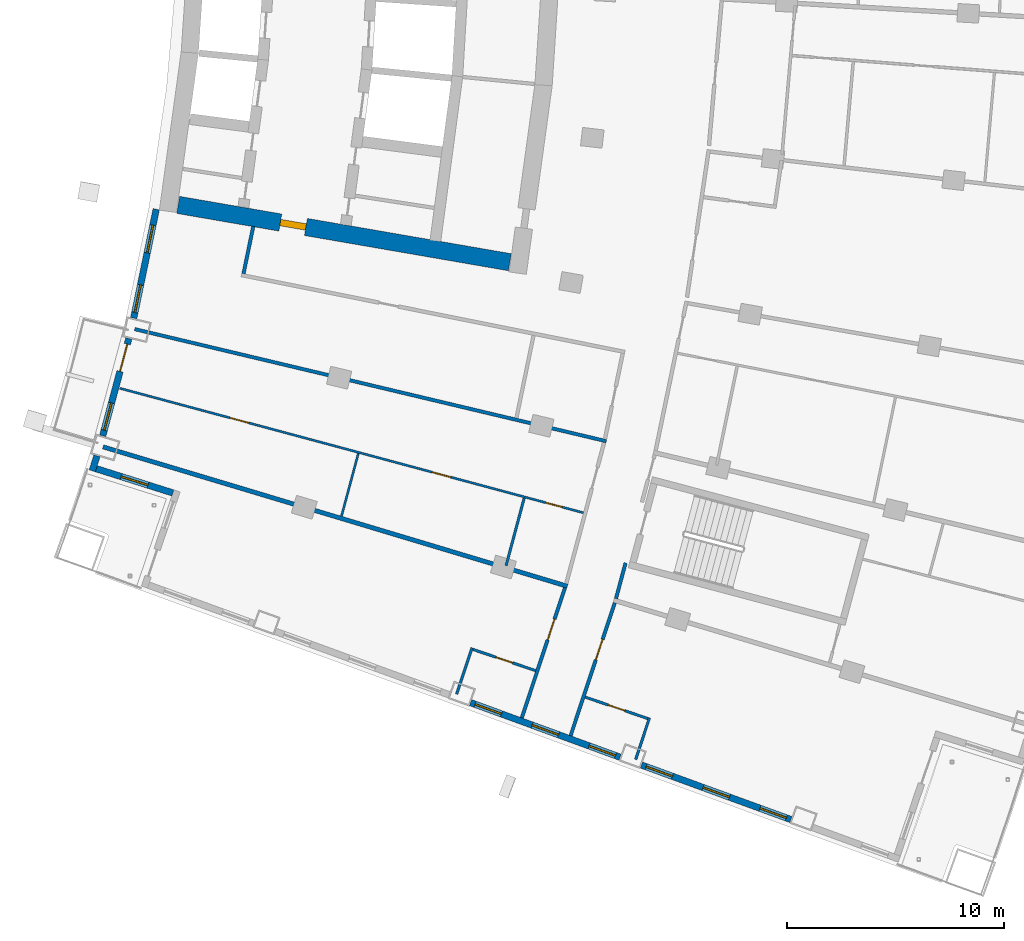
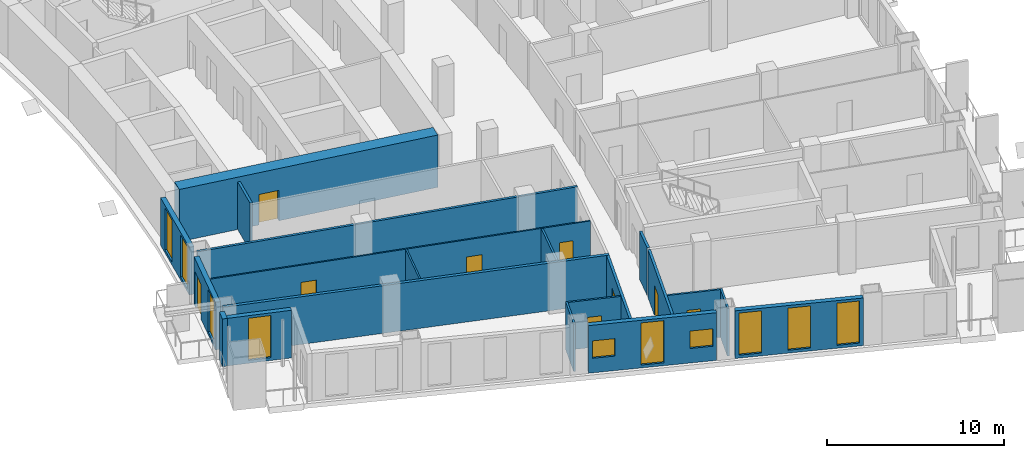
# One storey, part 13 of 25: 20 walls, 10 windows, 9 doors, 19 openings.
"""IFC4 building model written with IfcOpenShell, lengths in metres."""

from ifc_helpers import new_model, si_unit, direction, frame, frame_2d, origin, place, context, subcontext, project, spatial, rectangle, extrude, material, layer, layer_set, type_object, element, fill, save


model = new_model("IFC4")

# Units and contexts
model_context = context("Model", 3, precision=1e-05, world=origin(), true_north=direction((0.0, 1.0)))
body_context = subcontext(model_context, "Body", "Model", "MODEL_VIEW")
ifc_project = project(units=[si_unit("LENGTHUNIT", "METRE"), si_unit("AREAUNIT", "SQUARE_METRE"), si_unit("VOLUMEUNIT", "CUBIC_METRE"), si_unit("PLANEANGLEUNIT", "RADIAN"), si_unit("MASSUNIT", "GRAM", prefix="KILO")], contexts=[model_context])

# Site, building, storey
site_placement = place(None, origin())
site = spatial("IfcSite", under=ifc_project, at=site_placement, CompositionType="ELEMENT")
building_placement = place(site_placement, origin())
building = spatial("IfcBuilding", under=site, at=building_placement, Name="Alderwake Tower", CompositionType="ELEMENT")
storey_placement = place(building_placement, frame((0.0, 0.0, 111.199951171875)))
storey = spatial("IfcBuildingStorey", under=building, at=storey_placement, Name="L27", CompositionType="ELEMENT", Elevation=111.199951171875)

# Wall, opening, door
ifc_material_1 = material(Name="Concrete C70/85", Category="concrete")
ifc_layer_1 = layer(ifc_material_1, 0.800048828125)
ifc_layer_set_1 = layer_set([ifc_layer_1], Name="Core wall outer 800 C70-85")
wall_type_1 = type_object("IfcWallType", Name="Core wall outer 800 C70-85", PredefinedType="SHEAR", material=ifc_layer_set_1)
wall_1_placement = place(storey_placement, frame((31.20458984375, 41.776611328125, 0.0), z_axis=(0.0, 0.0, 1.0), x_axis=(-0.985386537175, 0.170333121719, 0.0)))
wall_1 = element("IfcWall", 1, at=wall_1_placement, inside=storey, type_object=wall_type_1, Name="Core wall CW.071", PredefinedType="SHEAR", context=body_context, shape_type="SweptSolid", body=[
    extrude(rectangle(XDim=15.537109375, YDim=0.800048828125, at=frame_2d((7.7685546875, 0.0))), origin(), (0.0, 0.0, 1.0), 3.60009765625),
])
opening_1_placement = place(wall_1_placement, frame((9.5537109375, 0.0, 0.0)))
opening_1 = element("IfcOpeningElement", 2, at=opening_1_placement, cuts=wall_1, Name="Opening C003", PredefinedType="OPENING", context=body_context, shape_type="SweptSolid", body=[
    extrude(rectangle(XDim=1.199951171875, YDim=2.10009765625, at=frame_2d((0.60009765625, 1.050048828125))), frame((0.0, 0.409912109375, 0.0), z_axis=(0.0, -1.0, 0.0), x_axis=(1.0, 0.0, 0.0)), (0.0, 0.0, 1.0), 0.820068359375),
])
ifc_material_2 = material(Name="Steel-framed fire door leaf", Category="steel")
door_type_1 = type_object("IfcDoorType", Name="Core lobby exit door 1200 fire-rated", OperationType="SINGLE_SWING_LEFT", PredefinedType="DOOR", material=ifc_material_2)
door_1_placement = place(opening_1_placement, origin())
door_1 = element("IfcDoor", 3, at=door_1_placement, inside=storey, type_object=door_type_1, Name="Lobby door", OperationType="SINGLE_SWING_LEFT", OverallHeight=2.10009765625, OverallWidth=1.199951171875, PredefinedType="DOOR", context=body_context, shape_type="SweptSolid", body=[
    extrude(rectangle(XDim=1.199951171875, YDim=2.10009765625, at=frame_2d((0.60009765625, 1.050048828125))), frame((0.0, 0.14990234375, 0.0), z_axis=(0.0, -1.0, 0.0), x_axis=(1.0, 0.0, 0.0)), (0.0, 0.0, 1.0), 0.300048828125),
])
fill(opening_1, door_1)

# Walls
ifc_material_3 = material(Name="Gypsum board on metal studs, rated")
ifc_layer_2 = layer(ifc_material_3, 0.159912109375)
ifc_layer_set_2 = layer_set([ifc_layer_2], Name="Corridor wall 160")
wall_type_2 = type_object("IfcWallType", Name="Corridor wall 160", PredefinedType="PARTITIONING", material=ifc_layer_set_2)
wall_2_placement = place(storey_placement, frame((13.884033203125, 38.68798828125, 0.0), z_axis=(0.0, 0.0, 1.0), x_axis=(0.972893462073, -0.231253781493, 0.0)))
element("IfcWall", 4, at=wall_2_placement, inside=storey, type_object=wall_type_2, Name="WL/L27/W16", PredefinedType="PARTITIONING", context=body_context, shape_type="SweptSolid", body=[
    extrude(rectangle(XDim=22.38037109375, YDim=0.159912109375, at=frame_2d((11.190185546875, 0.0))), origin(), (0.0, 0.0, 1.0), 3.280029296875),
])
wall_3_placement = place(storey_placement, frame((19.35888671875, 43.430908203125, 0.0), z_axis=(0.0, 0.0, 1.0), x_axis=(-0.202554916658, -0.979270905183, 0.0)))
element("IfcWall", 5, at=wall_3_placement, inside=storey, type_object=wall_type_2, Name="WL/L27/W20", PredefinedType="PARTITIONING", context=body_context, shape_type="SweptSolid", body=[
    extrude(rectangle(XDim=2.229736328125, YDim=0.159912109375, at=frame_2d((1.11474609375, 0.0))), origin(), (0.0, 0.0, 1.0), 3.280029296875),
])

# Wall, opening, door
wall_4_placement = place(storey_placement, frame((31.7548828125, 20.739013671875, 0.0), z_axis=(0.0, 0.0, 1.0), x_axis=(0.31554473692, 0.948910701279, 0.0)))
wall_4 = element("IfcWall", 6, at=wall_4_placement, inside=storey, type_object=wall_type_2, Name="WL/L27/W22", PredefinedType="PARTITIONING", context=body_context, shape_type="SweptSolid", body=[
    extrude(rectangle(XDim=6.327392578125, YDim=0.159912109375, at=frame_2d((3.16357421875, 0.0))), origin(), (0.0, 0.0, 1.0), 3.280029296875),
])
opening_2_placement = place(wall_4_placement, frame((3.799072265625, 0.0, 0.0)))
opening_2 = element("IfcOpeningElement", 7, at=opening_2_placement, cuts=wall_4, Name="Opening R07-U10.1", PredefinedType="OPENING", context=body_context, shape_type="SweptSolid", body=[
    extrude(rectangle(XDim=1.0, YDim=2.10009765625, at=frame_2d((0.5, 1.050048828125))), frame((0.0, 0.08984375, 0.0), z_axis=(0.0, -1.0, 0.0), x_axis=(1.0, 0.0, 0.0)), (0.0, 0.0, 1.0), 0.179931640625),
])
ifc_material_4 = material(Name="Solid timber leaf in steel frame", Category="steel")
door_type_2 = type_object("IfcDoorType", Name="Flat entrance door 1000 fire-rated", OperationType="SINGLE_SWING_LEFT", PredefinedType="DOOR", material=ifc_material_4)
door_2_placement = place(opening_2_placement, origin())
door_2 = element("IfcDoor", 8, at=door_2_placement, inside=storey, type_object=door_type_2, Name="DR/L27/U10.1", OperationType="SINGLE_SWING_LEFT", OverallHeight=2.10009765625, OverallWidth=1.0, PredefinedType="DOOR", context=body_context, shape_type="SweptSolid", body=[
    extrude(rectangle(XDim=1.0, YDim=2.10009765625, at=frame_2d((0.5, 1.050048828125))), frame((0.0, 0.02490234375, 0.0), z_axis=(0.0, -1.0, 0.0), x_axis=(1.0, 0.0, 0.0)), (0.0, 0.0, 1.0), 0.050048828125),
])
fill(opening_2, door_2)

wall_5_placement = place(storey_placement, frame((36.049560546875, 26.052978515625, 0.0), z_axis=(0.0, 0.0, 1.0), x_axis=(-0.315151894598, -0.949041244273, 0.0)))
wall_5 = element("IfcWall", 9, at=wall_5_placement, inside=storey, type_object=wall_type_2, Name="WL/L27/W25", PredefinedType="PARTITIONING", context=body_context, shape_type="SweptSolid", body=[
    extrude(rectangle(XDim=6.468505859375, YDim=0.159912109375, at=frame_2d((3.234375, 0.0))), origin(), (0.0, 0.0, 1.0), 3.280029296875),
])
opening_3_placement = place(wall_5_placement, frame((1.7822265625, 0.0, 0.0)))
opening_3 = element("IfcOpeningElement", 10, at=opening_3_placement, cuts=wall_5, Name="Opening R07-U03.1", PredefinedType="OPENING", context=body_context, shape_type="SweptSolid", body=[
    extrude(rectangle(XDim=1.0, YDim=2.10009765625, at=frame_2d((0.5, 1.050048828125))), frame((0.0, 0.08984375, 0.0), z_axis=(0.0, -1.0, 0.0), x_axis=(1.0, 0.0, 0.0)), (0.0, 0.0, 1.0), 0.179931640625),
])
door_3_placement = place(opening_3_placement, origin())
door_3 = element("IfcDoor", 11, at=door_3_placement, inside=storey, type_object=door_type_2, Name="DR/L27/U03.1", OperationType="SINGLE_SWING_LEFT", OverallHeight=2.10009765625, OverallWidth=1.0, PredefinedType="DOOR", context=body_context, shape_type="SweptSolid", body=[
    extrude(rectangle(XDim=1.0, YDim=2.10009765625, at=frame_2d((0.5, 1.050048828125))), frame((0.0, 0.02490234375, 0.0), z_axis=(0.0, -1.0, 0.0), x_axis=(1.0, 0.0, 0.0)), (0.0, 0.0, 1.0), 0.050048828125),
])
fill(opening_3, door_3)

# Walls
wall_6_placement = place(storey_placement, frame((36.10693359375, 26.24462890625, 0.0), z_axis=(0.0, 0.0, 1.0), x_axis=(0.259346865847, 0.965784242559, 0.0)))
element("IfcWall", 12, at=wall_6_placement, inside=storey, type_object=wall_type_2, Name="WL/L27/W27", PredefinedType="PARTITIONING", context=body_context, shape_type="SweptSolid", body=[
    extrude(rectangle(XDim=1.704833984375, YDim=0.159912109375, at=frame_2d((0.8525390625, 0.0))), origin(), (0.0, 0.0, 1.0), 3.280029296875),
])
ifc_material_5 = material(Name="Precast concrete C50/60 spandrel panel", Category="concrete")
ifc_layer_3 = layer(ifc_material_5, 0.300048828125)
ifc_layer_set_3 = layer_set([ifc_layer_3], Name="External wall EW1 Precast concrete C50/60 spandrel")
wall_type_3 = type_object("IfcWallType", Name="External wall EW1 Precast concrete C50/60 spandrel", PredefinedType="SOLIDWALL", material=ifc_layer_set_3)
wall_7_placement = place(storey_placement, frame((12.14013671875, 32.83837890625, 0.0), z_axis=(0.0, 0.0, 1.0), x_axis=(-0.294604532955, -0.955619259518, 0.0)))
element("IfcWall", 13, at=wall_7_placement, inside=storey, type_object=wall_type_3, Name="External wall 1", PredefinedType="SOLIDWALL", context=body_context, shape_type="SweptSolid", body=[
    extrude(rectangle(XDim=0.7275390625, YDim=0.300048828125, at=frame_2d((0.36376953125, 0.0))), origin(), (0.0, 0.0, 1.0), 3.280029296875),
])

# Wall, openings, windows
wall_8_placement = place(storey_placement, frame((14.878173828125, 44.223388671875, 0.0), z_axis=(0.0, 0.0, 1.0), x_axis=(-0.202723539143, -0.979236011734, 0.0)))
wall_8 = element("IfcWall", 14, at=wall_8_placement, inside=storey, type_object=wall_type_3, Name="External wall 35", PredefinedType="SOLIDWALL", context=body_context, shape_type="SweptSolid", body=[
    extrude(rectangle(XDim=5.134033203125, YDim=0.300048828125, at=frame_2d((2.56689453125, 0.0))), origin(), (0.0, 0.0, 1.0), 3.280029296875),
])
opening_4_placement = place(wall_8_placement, frame((0.75634765625, 0.0, 0.199951171875)))
opening_4 = element("IfcOpeningElement", 15, at=opening_4_placement, cuts=wall_8, Name="Opening W1", PredefinedType="OPENING", context=body_context, shape_type="SweptSolid", body=[
    extrude(rectangle(XDim=1.300048828125, YDim=2.89990234375, at=frame_2d((0.64990234375, 1.449951171875))), frame((0.0, 0.159912109375, 0.0), z_axis=(0.0, -1.0, 0.0), x_axis=(1.0, 0.0, 0.0)), (0.0, 0.0, 1.0), 0.320068359375),
])
opening_5_placement = place(wall_8_placement, frame((3.569091796875, 0.0, 0.199951171875)))
opening_5 = element("IfcOpeningElement", 16, at=opening_5_placement, cuts=wall_8, Name="Opening W1", PredefinedType="OPENING", context=body_context, shape_type="SweptSolid", body=[
    extrude(rectangle(XDim=1.300048828125, YDim=2.89990234375, at=frame_2d((0.64990234375, 1.449951171875))), frame((0.0, 0.159912109375, 0.0), z_axis=(0.0, -1.0, 0.0), x_axis=(1.0, 0.0, 0.0)), (0.0, 0.0, 1.0), 0.320068359375),
])
ifc_material_6 = material(Name="Bronze tinted glass in aluminium frame", Category="aluminium")
window_type_1 = type_object("IfcWindowType", Name="Window W1 tall fixed and vent", PartitioningType="DOUBLE_PANEL_VERTICAL", PredefinedType="WINDOW", material=ifc_material_6)
window_1_placement = place(opening_4_placement, origin())
window_1 = element("IfcWindow", 17, at=window_1_placement, inside=storey, type_object=window_type_1, Name="Window W1 tall fixed and vent", OverallHeight=2.89990234375, OverallWidth=1.300048828125, PartitioningType="DOUBLE_PANEL_VERTICAL", PredefinedType="WINDOW", context=body_context, shape_type="SweptSolid", body=[
    extrude(rectangle(XDim=1.300048828125, YDim=2.89990234375, at=frame_2d((0.64990234375, 1.449951171875))), frame((0.0, 0.030029296875, 0.0), z_axis=(0.0, -1.0, 0.0), x_axis=(1.0, 0.0, 0.0)), (0.0, 0.0, 1.0), 0.06005859375),
])
fill(opening_4, window_1)
window_2_placement = place(opening_5_placement, origin())
window_2 = element("IfcWindow", 18, at=window_2_placement, inside=storey, type_object=window_type_1, Name="Window W1 tall fixed and vent", OverallHeight=2.89990234375, OverallWidth=1.300048828125, PartitioningType="DOUBLE_PANEL_VERTICAL", PredefinedType="WINDOW", context=body_context, shape_type="SweptSolid", body=[
    extrude(rectangle(XDim=1.300048828125, YDim=2.89990234375, at=frame_2d((0.64990234375, 1.449951171875))), frame((0.0, 0.030029296875, 0.0), z_axis=(0.0, -1.0, 0.0), x_axis=(1.0, 0.0, 0.0)), (0.0, 0.0, 1.0), 0.06005859375),
])
fill(opening_5, window_2)

# Wall, openings, door, window
wall_9_placement = place(storey_placement, frame((13.61328125, 38.254150390625, 0.0), z_axis=(0.0, 0.0, 1.0), x_axis=(-0.259468933642, -0.965751454814, 0.0)))
wall_9 = element("IfcWall", 19, at=wall_9_placement, inside=storey, type_object=wall_type_3, Name="External wall 36", PredefinedType="SOLIDWALL", context=body_context, shape_type="SweptSolid", body=[
    extrude(rectangle(XDim=4.65087890625, YDim=0.300048828125, at=frame_2d((2.325439453125, 0.0))), origin(), (0.0, 0.0, 1.0), 3.280029296875),
])
opening_6_placement = place(wall_9_placement, frame((0.26708984375, 0.0, 0.0)))
opening_6 = element("IfcOpeningElement", 20, at=opening_6_placement, cuts=wall_9, Name="Opening D15", PredefinedType="OPENING", context=body_context, shape_type="SweptSolid", body=[
    extrude(rectangle(XDim=1.300048828125, YDim=2.39990234375, at=frame_2d((0.64990234375, 1.199951171875))), frame((0.0, 0.159912109375, 0.0), z_axis=(0.0, -1.0, 0.0), x_axis=(1.0, 0.0, 0.0)), (0.0, 0.0, 1.0), 0.320068359375),
])
opening_7_placement = place(wall_9_placement, frame((3.083984375, 0.0, 0.199951171875)))
opening_7 = element("IfcOpeningElement", 21, at=opening_7_placement, cuts=wall_9, Name="Opening W1", PredefinedType="OPENING", context=body_context, shape_type="SweptSolid", body=[
    extrude(rectangle(XDim=1.300048828125, YDim=2.89990234375, at=frame_2d((0.64990234375, 1.449951171875))), frame((0.0, 0.159912109375, 0.0), z_axis=(0.0, -1.0, 0.0), x_axis=(1.0, 0.0, 0.0)), (0.0, 0.0, 1.0), 0.320068359375),
])
ifc_material_7 = material(Name="Bronze tinted glass in aluminium frame", Category="aluminium")
door_type_3 = type_object("IfcDoorType", Name="Balcony door BD sliding", OperationType="SLIDING_TO_LEFT", PredefinedType="DOOR", material=ifc_material_7)
door_4_placement = place(opening_6_placement, origin())
door_4 = element("IfcDoor", 22, at=door_4_placement, inside=storey, type_object=door_type_3, Name="Door D15", OperationType="SLIDING_TO_LEFT", OverallHeight=2.39990234375, OverallWidth=1.300048828125, PredefinedType="DOOR", context=body_context, shape_type="SweptSolid", body=[
    extrude(rectangle(XDim=1.300048828125, YDim=2.39990234375, at=frame_2d((0.64990234375, 1.199951171875))), frame((0.0, 0.02490234375, 0.0), z_axis=(0.0, -1.0, 0.0), x_axis=(1.0, 0.0, 0.0)), (0.0, 0.0, 1.0), 0.050048828125),
])
fill(opening_6, door_4)
window_3_placement = place(opening_7_placement, origin())
window_3 = element("IfcWindow", 23, at=window_3_placement, inside=storey, type_object=window_type_1, Name="Window W1 tall fixed and vent", OverallHeight=2.89990234375, OverallWidth=1.300048828125, PartitioningType="DOUBLE_PANEL_VERTICAL", PredefinedType="WINDOW", context=body_context, shape_type="SweptSolid", body=[
    extrude(rectangle(XDim=1.300048828125, YDim=2.89990234375, at=frame_2d((0.64990234375, 1.449951171875))), frame((0.0, 0.030029296875, 0.0), z_axis=(0.0, -1.0, 0.0), x_axis=(1.0, 0.0, 0.0)), (0.0, 0.0, 1.0), 0.06005859375),
])
fill(opening_7, window_3)

# Wall, opening, window
ifc_material_8 = material(Name="Bronze metal cladding on lightweight framing")
ifc_layer_4 = layer(ifc_material_8, 0.300048828125)
ifc_layer_set_4 = layer_set([ifc_layer_4], Name="External wall EW2 bronze metal cladding")
wall_type_4 = type_object("IfcWallType", Name="External wall EW2 bronze metal cladding", PredefinedType="SOLIDWALL", material=ifc_layer_set_4)
wall_10_placement = place(storey_placement, frame((12.113037109375, 32.2412109375, 0.0), z_axis=(0.0, 0.0, 1.0), x_axis=(0.953458128271, -0.301525451054, 0.0)))
wall_10 = element("IfcWall", 24, at=wall_10_placement, inside=storey, type_object=wall_type_4, Name="External wall 2", PredefinedType="SOLIDWALL", context=body_context, shape_type="SweptSolid", body=[
    extrude(rectangle(XDim=3.705810546875, YDim=0.300048828125, at=frame_2d((1.85302734375, 0.0))), origin(), (0.0, 0.0, 1.0), 3.280029296875),
])
opening_8_placement = place(wall_10_placement, frame((1.202880859375, 0.0, 0.199951171875)))
opening_8 = element("IfcOpeningElement", 25, at=opening_8_placement, cuts=wall_10, Name="Opening W1", PredefinedType="OPENING", context=body_context, shape_type="SweptSolid", body=[
    extrude(rectangle(XDim=1.300048828125, YDim=2.89990234375, at=frame_2d((0.64990234375, 1.449951171875))), frame((0.0, 0.159912109375, 0.0), z_axis=(0.0, -1.0, 0.0), x_axis=(1.0, 0.0, 0.0)), (0.0, 0.0, 1.0), 0.320068359375),
])
window_4_placement = place(opening_8_placement, origin())
window_4 = element("IfcWindow", 26, at=window_4_placement, inside=storey, type_object=window_type_1, Name="Window W1 tall fixed and vent", OverallHeight=2.89990234375, OverallWidth=1.300048828125, PartitioningType="DOUBLE_PANEL_VERTICAL", PredefinedType="WINDOW", context=body_context, shape_type="SweptSolid", body=[
    extrude(rectangle(XDim=1.300048828125, YDim=2.89990234375, at=frame_2d((0.64990234375, 1.449951171875))), frame((0.0, 0.030029296875, 0.0), z_axis=(0.0, -1.0, 0.0), x_axis=(1.0, 0.0, 0.0)), (0.0, 0.0, 1.0), 0.06005859375),
])
fill(opening_8, window_4)

# Wall, openings, windows
wall_11_placement = place(storey_placement, frame((29.39306640625, 21.44091796875, 0.0), z_axis=(0.0, 0.0, 1.0), x_axis=(0.939378390818, -0.342882252187, 0.0)))
wall_11 = element("IfcWall", 27, at=wall_11_placement, inside=storey, type_object=wall_type_4, Name="External wall 6", PredefinedType="SOLIDWALL", context=body_context, shape_type="SweptSolid", body=[
    extrude(rectangle(XDim=7.345947265625, YDim=0.300048828125, at=frame_2d((3.6728515625, 0.0))), origin(), (0.0, 0.0, 1.0), 3.280029296875),
])
opening_9_placement = place(wall_11_placement, frame((0.222900390625, 0.0, 1.0)))
opening_9 = element("IfcOpeningElement", 28, at=opening_9_placement, cuts=wall_11, Name="Opening W2", PredefinedType="OPENING", context=body_context, shape_type="SweptSolid", body=[
    extrude(rectangle(XDim=1.300048828125, YDim=1.199951171875, at=frame_2d((0.64990234375, 0.60009765625))), frame((0.0, 0.159912109375, 0.0), z_axis=(0.0, -1.0, 0.0), x_axis=(1.0, 0.0, 0.0)), (0.0, 0.0, 1.0), 0.320068359375),
])
opening_10_placement = place(wall_11_placement, frame((3.02294921875, 0.0, 0.199951171875)))
opening_10 = element("IfcOpeningElement", 29, at=opening_10_placement, cuts=wall_11, Name="Opening W1", PredefinedType="OPENING", context=body_context, shape_type="SweptSolid", body=[
    extrude(rectangle(XDim=1.300048828125, YDim=2.89990234375, at=frame_2d((0.64990234375, 1.449951171875))), frame((0.0, 0.159912109375, 0.0), z_axis=(0.0, -1.0, 0.0), x_axis=(1.0, 0.0, 0.0)), (0.0, 0.0, 1.0), 0.320068359375),
])
opening_11_placement = place(wall_11_placement, frame((5.822998046875, 0.0, 1.0)))
opening_11 = element("IfcOpeningElement", 30, at=opening_11_placement, cuts=wall_11, Name="Opening W2", PredefinedType="OPENING", context=body_context, shape_type="SweptSolid", body=[
    extrude(rectangle(XDim=1.300048828125, YDim=1.199951171875, at=frame_2d((0.64990234375, 0.60009765625))), frame((0.0, 0.159912109375, 0.0), z_axis=(0.0, -1.0, 0.0), x_axis=(1.0, 0.0, 0.0)), (0.0, 0.0, 1.0), 0.320068359375),
])
window_5_placement = place(opening_10_placement, origin())
window_5 = element("IfcWindow", 31, at=window_5_placement, inside=storey, type_object=window_type_1, Name="Window W1 tall fixed and vent", OverallHeight=2.89990234375, OverallWidth=1.300048828125, PartitioningType="DOUBLE_PANEL_VERTICAL", PredefinedType="WINDOW", context=body_context, shape_type="SweptSolid", body=[
    extrude(rectangle(XDim=1.300048828125, YDim=2.89990234375, at=frame_2d((0.64990234375, 1.449951171875))), frame((0.0, 0.030029296875, 0.0), z_axis=(0.0, -1.0, 0.0), x_axis=(1.0, 0.0, 0.0)), (0.0, 0.0, 1.0), 0.06005859375),
])
fill(opening_10, window_5)
ifc_material_9 = material(Name="Bronze tinted glass in aluminium frame", Category="aluminium")
window_type_2 = type_object("IfcWindowType", Name="Window W2 kitchen and bath", PartitioningType="SINGLE_PANEL", PredefinedType="WINDOW", material=ifc_material_9)
window_6_placement = place(opening_9_placement, origin())
window_6 = element("IfcWindow", 32, at=window_6_placement, inside=storey, type_object=window_type_2, Name="Window W2 kitchen and bath", OverallHeight=1.199951171875, OverallWidth=1.300048828125, PartitioningType="SINGLE_PANEL", PredefinedType="WINDOW", context=body_context, shape_type="SweptSolid", body=[
    extrude(rectangle(XDim=1.300048828125, YDim=1.199951171875, at=frame_2d((0.64990234375, 0.60009765625))), frame((0.0, 0.030029296875, 0.0), z_axis=(0.0, -1.0, 0.0), x_axis=(1.0, 0.0, 0.0)), (0.0, 0.0, 1.0), 0.06005859375),
])
fill(opening_9, window_6)
window_7_placement = place(opening_11_placement, origin())
window_7 = element("IfcWindow", 33, at=window_7_placement, inside=storey, type_object=window_type_2, Name="Window W2 kitchen and bath", OverallHeight=1.199951171875, OverallWidth=1.300048828125, PartitioningType="SINGLE_PANEL", PredefinedType="WINDOW", context=body_context, shape_type="SweptSolid", body=[
    extrude(rectangle(XDim=1.300048828125, YDim=1.199951171875, at=frame_2d((0.64990234375, 0.60009765625))), frame((0.0, 0.030029296875, 0.0), z_axis=(0.0, -1.0, 0.0), x_axis=(1.0, 0.0, 0.0)), (0.0, 0.0, 1.0), 0.06005859375),
])
fill(opening_11, window_7)

wall_12_placement = place(storey_placement, frame((37.283935546875, 18.560546875, 0.0), z_axis=(0.0, 0.0, 1.0), x_axis=(0.939378390818, -0.342882252187, 0.0)))
wall_12 = element("IfcWall", 34, at=wall_12_placement, inside=storey, type_object=wall_type_4, Name="External wall 7", PredefinedType="SOLIDWALL", context=body_context, shape_type="SweptSolid", body=[
    extrude(rectangle(XDim=7.345947265625, YDim=0.300048828125, at=frame_2d((3.6728515625, 0.0))), origin(), (0.0, 0.0, 1.0), 3.280029296875),
])
opening_12_placement = place(wall_12_placement, frame((0.222900390625, 0.0, 0.199951171875)))
opening_12 = element("IfcOpeningElement", 35, at=opening_12_placement, cuts=wall_12, Name="Opening W1", PredefinedType="OPENING", context=body_context, shape_type="SweptSolid", body=[
    extrude(rectangle(XDim=1.300048828125, YDim=2.89990234375, at=frame_2d((0.64990234375, 1.449951171875))), frame((0.0, 0.159912109375, 0.0), z_axis=(0.0, -1.0, 0.0), x_axis=(1.0, 0.0, 0.0)), (0.0, 0.0, 1.0), 0.320068359375),
])
opening_13_placement = place(wall_12_placement, frame((3.02294921875, 0.0, 0.199951171875)))
opening_13 = element("IfcOpeningElement", 36, at=opening_13_placement, cuts=wall_12, Name="Opening W1", PredefinedType="OPENING", context=body_context, shape_type="SweptSolid", body=[
    extrude(rectangle(XDim=1.300048828125, YDim=2.89990234375, at=frame_2d((0.64990234375, 1.449951171875))), frame((0.0, 0.159912109375, 0.0), z_axis=(0.0, -1.0, 0.0), x_axis=(1.0, 0.0, 0.0)), (0.0, 0.0, 1.0), 0.320068359375),
])
opening_14_placement = place(wall_12_placement, frame((5.822998046875, 0.0, 0.199951171875)))
opening_14 = element("IfcOpeningElement", 37, at=opening_14_placement, cuts=wall_12, Name="Opening W1", PredefinedType="OPENING", context=body_context, shape_type="SweptSolid", body=[
    extrude(rectangle(XDim=1.300048828125, YDim=2.89990234375, at=frame_2d((0.64990234375, 1.449951171875))), frame((0.0, 0.159912109375, 0.0), z_axis=(0.0, -1.0, 0.0), x_axis=(1.0, 0.0, 0.0)), (0.0, 0.0, 1.0), 0.320068359375),
])
window_8_placement = place(opening_12_placement, origin())
window_8 = element("IfcWindow", 38, at=window_8_placement, inside=storey, type_object=window_type_1, Name="Window W1 tall fixed and vent", OverallHeight=2.89990234375, OverallWidth=1.300048828125, PartitioningType="DOUBLE_PANEL_VERTICAL", PredefinedType="WINDOW", context=body_context, shape_type="SweptSolid", body=[
    extrude(rectangle(XDim=1.300048828125, YDim=2.89990234375, at=frame_2d((0.64990234375, 1.449951171875))), frame((0.0, 0.030029296875, 0.0), z_axis=(0.0, -1.0, 0.0), x_axis=(1.0, 0.0, 0.0)), (0.0, 0.0, 1.0), 0.06005859375),
])
fill(opening_12, window_8)
window_9_placement = place(opening_13_placement, origin())
window_9 = element("IfcWindow", 39, at=window_9_placement, inside=storey, type_object=window_type_1, Name="Window W1 tall fixed and vent", OverallHeight=2.89990234375, OverallWidth=1.300048828125, PartitioningType="DOUBLE_PANEL_VERTICAL", PredefinedType="WINDOW", context=body_context, shape_type="SweptSolid", body=[
    extrude(rectangle(XDim=1.300048828125, YDim=2.89990234375, at=frame_2d((0.64990234375, 1.449951171875))), frame((0.0, 0.030029296875, 0.0), z_axis=(0.0, -1.0, 0.0), x_axis=(1.0, 0.0, 0.0)), (0.0, 0.0, 1.0), 0.06005859375),
])
fill(opening_13, window_9)
window_10_placement = place(opening_14_placement, origin())
window_10 = element("IfcWindow", 40, at=window_10_placement, inside=storey, type_object=window_type_1, Name="Window W1 tall fixed and vent", OverallHeight=2.89990234375, OverallWidth=1.300048828125, PartitioningType="DOUBLE_PANEL_VERTICAL", PredefinedType="WINDOW", context=body_context, shape_type="SweptSolid", body=[
    extrude(rectangle(XDim=1.300048828125, YDim=2.89990234375, at=frame_2d((0.64990234375, 1.449951171875))), frame((0.0, 0.030029296875, 0.0), z_axis=(0.0, -1.0, 0.0), x_axis=(1.0, 0.0, 0.0)), (0.0, 0.0, 1.0), 0.06005859375),
])
fill(opening_14, window_10)

# Wall
ifc_material_10 = material(Name="Dense block masonry wall", Category="masonry")
ifc_layer_5 = layer(ifc_material_10, 0.199951171875)
ifc_layer_set_5 = layer_set([ifc_layer_5], Name="Party wall 200")
wall_type_5 = type_object("IfcWallType", Name="Party wall 200", PredefinedType="SOLIDWALL", material=ifc_layer_set_5)
wall_13_placement = place(storey_placement, frame((33.859619140625, 26.81494140625, 0.0), z_axis=(0.0, 0.0, 1.0), x_axis=(-0.95775179957, 0.287596054251, 0.0)))
element("IfcWall", 41, at=wall_13_placement, inside=storey, type_object=wall_type_5, Name="WL/L27/W03", PredefinedType="SOLIDWALL", context=body_context, shape_type="SweptSolid", body=[
    extrude(rectangle(XDim=22.382080078125, YDim=0.199951171875, at=frame_2d((11.19091796875, 0.0))), origin(), (0.0, 0.0, 1.0), 3.280029296875),
])

# Wall, openings, doors
ifc_material_11 = material(Name="Gypsum board on metal studs")
ifc_layer_6 = layer(ifc_material_11, 0.10009765625)
ifc_layer_set_6 = layer_set([ifc_layer_6], Name="Unit partition 100")
wall_type_6 = type_object("IfcWallType", Name="Unit partition 100", PredefinedType="PARTITIONING", material=ifc_layer_set_6)
wall_14_placement = place(storey_placement, frame((34.605712890625, 30.206787109375, 0.0), z_axis=(0.0, 0.0, 1.0), x_axis=(-0.965767846078, 0.259407917152, 0.0)))
wall_14 = element("IfcWall", 42, at=wall_14_placement, inside=storey, type_object=wall_type_6, Name="WL/L27/W67", PredefinedType="PARTITIONING", context=body_context, shape_type="SweptSolid", body=[
    extrude(rectangle(XDim=22.170654296875, YDim=0.10009765625, at=frame_2d((11.08544921875, 0.0))), origin(), (0.0, 0.0, 1.0), 3.280029296875),
])
opening_15_placement = place(wall_14_placement, frame((6.335205078125, 0.0, 0.0)))
opening_15 = element("IfcOpeningElement", 43, at=opening_15_placement, cuts=wall_14, Name="Opening R07-U11.1", PredefinedType="OPENING", context=body_context, shape_type="SweptSolid", body=[
    extrude(rectangle(XDim=0.89990234375, YDim=2.10009765625, at=frame_2d((0.449951171875, 1.050048828125))), frame((0.0, 0.06005859375, 0.0), z_axis=(0.0, -1.0, 0.0), x_axis=(1.0, 0.0, 0.0)), (0.0, 0.0, 1.0), 0.1201171875),
])
opening_16_placement = place(wall_14_placement, frame((1.010009765625, 0.0, 0.0)))
opening_16 = element("IfcOpeningElement", 44, at=opening_16_placement, cuts=wall_14, Name="Opening R07-U11.3", PredefinedType="OPENING", context=body_context, shape_type="SweptSolid", body=[
    extrude(rectangle(XDim=0.800048828125, YDim=2.10009765625, at=frame_2d((0.39990234375, 1.050048828125))), frame((0.0, 0.06005859375, 0.0), z_axis=(0.0, -1.0, 0.0), x_axis=(1.0, 0.0, 0.0)), (0.0, 0.0, 1.0), 0.1201171875),
])
opening_17_placement = place(wall_14_placement, frame((16.010498046875, 0.0, 0.0)))
opening_17 = element("IfcOpeningElement", 45, at=opening_17_placement, cuts=wall_14, Name="Opening R07-U11.4", PredefinedType="OPENING", context=body_context, shape_type="SweptSolid", body=[
    extrude(rectangle(XDim=0.89990234375, YDim=2.10009765625, at=frame_2d((0.449951171875, 1.050048828125))), frame((0.0, 0.06005859375, 0.0), z_axis=(0.0, -1.0, 0.0), x_axis=(1.0, 0.0, 0.0)), (0.0, 0.0, 1.0), 0.1201171875),
])
ifc_material_12 = material(Name="Painted timber leaf", Category="wood")
door_type_4 = type_object("IfcDoorType", Name="Bathroom door 800", OperationType="SINGLE_SWING_LEFT", PredefinedType="DOOR", material=ifc_material_12)
door_5_placement = place(opening_16_placement, origin())
door_5 = element("IfcDoor", 46, at=door_5_placement, inside=storey, type_object=door_type_4, Name="DR/L27/U11.3", OperationType="SINGLE_SWING_LEFT", OverallHeight=2.10009765625, OverallWidth=0.800048828125, PredefinedType="DOOR", context=body_context, shape_type="SweptSolid", body=[
    extrude(rectangle(XDim=0.800048828125, YDim=2.10009765625, at=frame_2d((0.39990234375, 1.050048828125))), frame((0.0, 0.02490234375, 0.0), z_axis=(0.0, -1.0, 0.0), x_axis=(1.0, 0.0, 0.0)), (0.0, 0.0, 1.0), 0.050048828125),
])
fill(opening_16, door_5)
ifc_material_13 = material(Name="Painted timber leaf", Category="wood")
door_type_5 = type_object("IfcDoorType", Name="Room door 900", OperationType="SINGLE_SWING_LEFT", PredefinedType="DOOR", material=ifc_material_13)
door_6_placement = place(opening_15_placement, origin())
door_6 = element("IfcDoor", 47, at=door_6_placement, inside=storey, type_object=door_type_5, Name="DR/L27/U11.1", OperationType="SINGLE_SWING_LEFT", OverallHeight=2.10009765625, OverallWidth=0.89990234375, PredefinedType="DOOR", context=body_context, shape_type="SweptSolid", body=[
    extrude(rectangle(XDim=0.89990234375, YDim=2.10009765625, at=frame_2d((0.449951171875, 1.050048828125))), frame((0.0, 0.02490234375, 0.0), z_axis=(0.0, -1.0, 0.0), x_axis=(1.0, 0.0, 0.0)), (0.0, 0.0, 1.0), 0.050048828125),
])
fill(opening_15, door_6)
door_7_placement = place(opening_17_placement, origin())
door_7 = element("IfcDoor", 48, at=door_7_placement, inside=storey, type_object=door_type_5, Name="DR/L27/U11.4", OperationType="SINGLE_SWING_LEFT", OverallHeight=2.10009765625, OverallWidth=0.89990234375, PredefinedType="DOOR", context=body_context, shape_type="SweptSolid", body=[
    extrude(rectangle(XDim=0.89990234375, YDim=2.10009765625, at=frame_2d((0.449951171875, 1.050048828125))), frame((0.0, 0.02490234375, 0.0), z_axis=(0.0, -1.0, 0.0), x_axis=(1.0, 0.0, 0.0)), (0.0, 0.0, 1.0), 0.050048828125),
])
fill(opening_17, door_7)

# Walls
wall_15_placement = place(storey_placement, frame((24.208984375, 32.94580078125, 0.0), z_axis=(0.0, 0.0, 1.0), x_axis=(-0.259310212645, -0.965794084481, 0.0)))
element("IfcWall", 49, at=wall_15_placement, inside=storey, type_object=wall_type_6, Name="WL/L27/W70", PredefinedType="PARTITIONING", context=body_context, shape_type="SweptSolid", body=[
    extrude(rectangle(XDim=2.996826171875, YDim=0.10009765625, at=frame_2d((1.49853515625, 0.0))), origin(), (0.0, 0.0, 1.0), 3.280029296875),
])
ifc_material_14 = material(Name="Moisture resistant gypsum board on metal studs")
ifc_layer_7 = layer(ifc_material_14, 0.1201171875)
ifc_layer_set_7 = layer_set([ifc_layer_7], Name="Wet room partition 120")
wall_type_7 = type_object("IfcWallType", Name="Wet room partition 120", PredefinedType="PARTITIONING", material=ifc_layer_set_7)
wall_16_placement = place(storey_placement, frame((29.4609375, 23.975830078125, 0.0), z_axis=(0.0, 0.0, 1.0), x_axis=(-0.31580536125, -0.948823995168, 0.0)))
element("IfcWall", 50, at=wall_16_placement, inside=storey, type_object=wall_type_7, Name="WL/L27/W45", PredefinedType="PARTITIONING", context=body_context, shape_type="SweptSolid", body=[
    extrude(rectangle(XDim=2.25439453125, YDim=0.1201171875, at=frame_2d((1.127197265625, 0.0))), origin(), (0.0, 0.0, 1.0), 3.280029296875),
])
wall_17_placement = place(storey_placement, frame((31.867919921875, 30.8876953125, 0.0), z_axis=(0.0, 0.0, 1.0), x_axis=(-0.259149206489, -0.96583729933, 0.0)))
element("IfcWall", 51, at=wall_17_placement, inside=storey, type_object=wall_type_7, Name="WL/L27/W48", PredefinedType="PARTITIONING", context=body_context, shape_type="SweptSolid", body=[
    extrude(rectangle(XDim=3.2294921875, YDim=0.1201171875, at=frame_2d((1.61474609375, 0.0))), origin(), (0.0, 0.0, 1.0), 3.280029296875),
])

# Wall, opening, door
wall_18_placement = place(storey_placement, frame((32.396240234375, 22.918701171875, 0.0), z_axis=(0.0, 0.0, 1.0), x_axis=(-0.947164130145, 0.320749295505, 0.0)))
wall_18 = element("IfcWall", 52, at=wall_18_placement, inside=storey, type_object=wall_type_7, Name="WL/L27/W49", PredefinedType="PARTITIONING", context=body_context, shape_type="SweptSolid", body=[
    extrude(rectangle(XDim=3.05908203125, YDim=0.1201171875, at=frame_2d((1.529541015625, 0.0))), origin(), (0.0, 0.0, 1.0), 3.280029296875),
])
opening_18_placement = place(wall_18_placement, frame((1.12939453125, 0.0, 0.0)))
opening_18 = element("IfcOpeningElement", 53, at=opening_18_placement, cuts=wall_18, Name="Opening R07-U10.2", PredefinedType="OPENING", context=body_context, shape_type="SweptSolid", body=[
    extrude(rectangle(XDim=0.800048828125, YDim=2.10009765625, at=frame_2d((0.39990234375, 1.050048828125))), frame((0.0, 0.070068359375, 0.0), z_axis=(0.0, -1.0, 0.0), x_axis=(1.0, 0.0, 0.0)), (0.0, 0.0, 1.0), 0.14013671875),
])
door_8_placement = place(opening_18_placement, origin())
door_8 = element("IfcDoor", 54, at=door_8_placement, inside=storey, type_object=door_type_4, Name="DR/L27/U10.2", OperationType="SINGLE_SWING_LEFT", OverallHeight=2.10009765625, OverallWidth=0.800048828125, PredefinedType="DOOR", context=body_context, shape_type="SweptSolid", body=[
    extrude(rectangle(XDim=0.800048828125, YDim=2.10009765625, at=frame_2d((0.39990234375, 1.050048828125))), frame((0.0, 0.02490234375, 0.0), z_axis=(0.0, -1.0, 0.0), x_axis=(1.0, 0.0, 0.0)), (0.0, 0.0, 1.0), 0.050048828125),
])
fill(opening_18, door_8)

# Wall
wall_19_placement = place(storey_placement, frame((37.01708984375, 18.819091796875, 0.0), z_axis=(0.0, 0.0, 1.0), x_axis=(0.314346849319, 0.949308199861, 0.0)))
element("IfcWall", 55, at=wall_19_placement, inside=storey, type_object=wall_type_7, Name="WL/L27/W51", PredefinedType="PARTITIONING", context=body_context, shape_type="SweptSolid", body=[
    extrude(rectangle(XDim=2.025634765625, YDim=0.1201171875, at=frame_2d((1.0126953125, 0.0))), origin(), (0.0, 0.0, 1.0), 3.280029296875),
])

# Wall, opening, door
wall_20_placement = place(storey_placement, frame((37.578125, 20.70458984375, 0.0), z_axis=(0.0, 0.0, 1.0), x_axis=(-0.945834581723, 0.324648955054, 0.0)))
wall_20 = element("IfcWall", 56, at=wall_20_placement, inside=storey, type_object=wall_type_7, Name="WL/L27/W52", PredefinedType="PARTITIONING", context=body_context, shape_type="SweptSolid", body=[
    extrude(rectangle(XDim=3.056884765625, YDim=0.1201171875, at=frame_2d((1.5283203125, 0.0))), origin(), (0.0, 0.0, 1.0), 3.280029296875),
])
opening_19_placement = place(wall_20_placement, frame((1.128662109375, 0.0, 0.0)))
opening_19 = element("IfcOpeningElement", 57, at=opening_19_placement, cuts=wall_20, Name="Opening R07-U03.2", PredefinedType="OPENING", context=body_context, shape_type="SweptSolid", body=[
    extrude(rectangle(XDim=0.800048828125, YDim=2.10009765625, at=frame_2d((0.39990234375, 1.050048828125))), frame((0.0, 0.070068359375, 0.0), z_axis=(0.0, -1.0, 0.0), x_axis=(1.0, 0.0, 0.0)), (0.0, 0.0, 1.0), 0.14013671875),
])
door_9_placement = place(opening_19_placement, origin())
door_9 = element("IfcDoor", 58, at=door_9_placement, inside=storey, type_object=door_type_4, Name="DR/L27/U03.2", OperationType="SINGLE_SWING_LEFT", OverallHeight=2.10009765625, OverallWidth=0.800048828125, PredefinedType="DOOR", context=body_context, shape_type="SweptSolid", body=[
    extrude(rectangle(XDim=0.800048828125, YDim=2.10009765625, at=frame_2d((0.39990234375, 1.050048828125))), frame((0.0, 0.02490234375, 0.0), z_axis=(0.0, -1.0, 0.0), x_axis=(1.0, 0.0, 0.0)), (0.0, 0.0, 1.0), 0.050048828125),
])
fill(opening_19, door_9)

save(model, "model.ifc")
